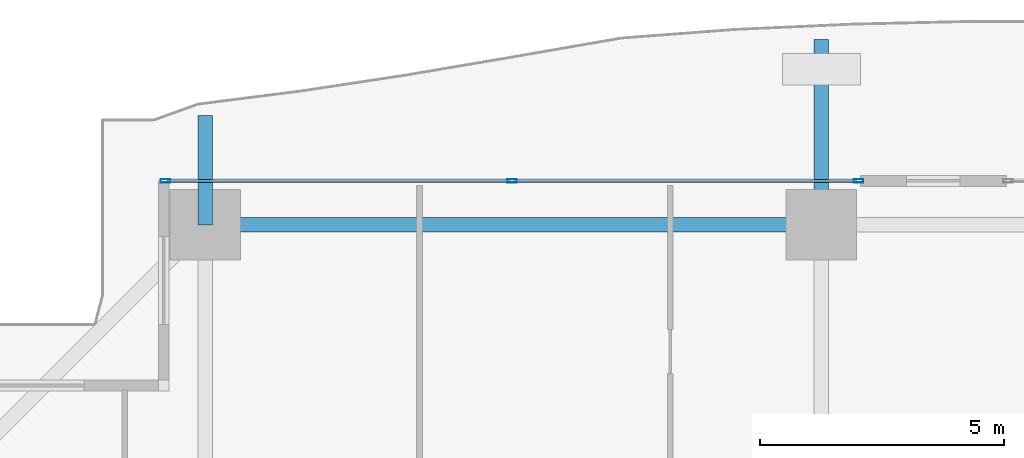
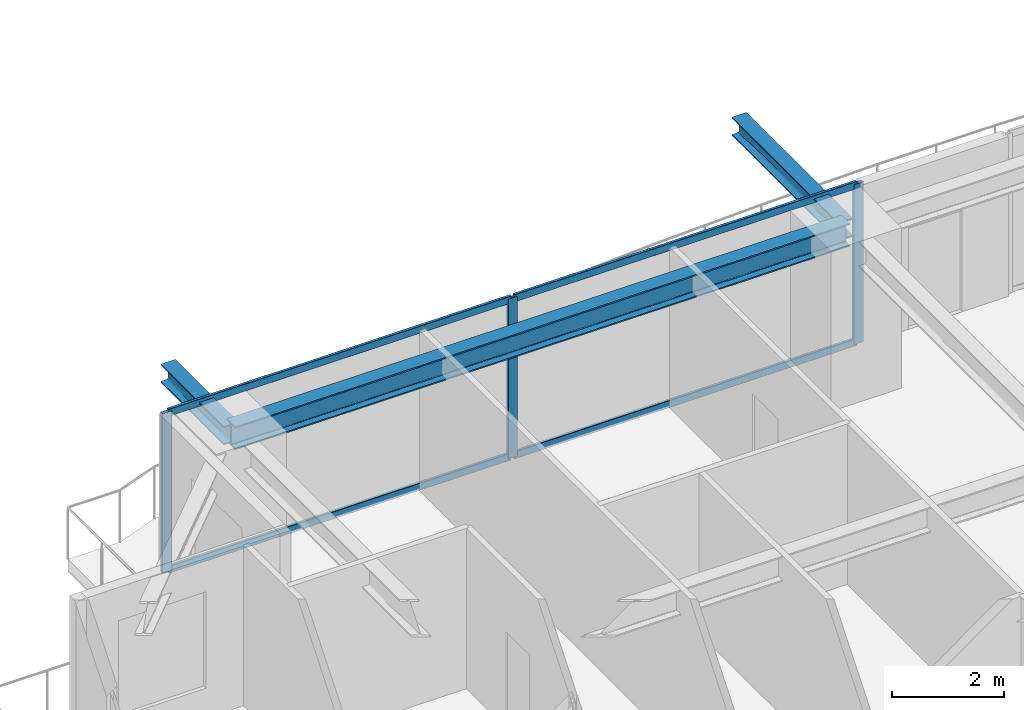
# One storey, part 20 of 39: 7 members, 3 beams, 1 element without a shape of its own.
"""IFC4 building model written with IfcOpenShell, lengths in metres."""

from ifc_helpers import new_model, si_unit, direction, frame, origin, origin_2d, place, context, subcontext, project, spatial, hollow_rectangle, i_section, extrude, source, transform, mapped, material, layer, layer_set, material_profile, profile_set, type_object, element, aggregate, save


model = new_model("IFC4")

# Units and contexts
model_context = context("Model", 3, precision=1e-05, world=origin(), true_north=direction((0.0, 1.0)))
body_context = subcontext(model_context, "Body", "Model", "MODEL_VIEW")
ifc_project = project(units=[si_unit("LENGTHUNIT", "METRE"), si_unit("AREAUNIT", "SQUARE_METRE"), si_unit("VOLUMEUNIT", "CUBIC_METRE"), si_unit("PLANEANGLEUNIT", "RADIAN"), si_unit("MASSUNIT", "GRAM", prefix="KILO")], contexts=[model_context])

# Site, building, storey
site_placement = place(None, origin())
site = spatial("IfcSite", under=ifc_project, at=site_placement, CompositionType="ELEMENT")
building_placement = place(site_placement, origin())
building = spatial("IfcBuilding", under=site, at=building_placement, Name="Serunith Strait Residences", CompositionType="ELEMENT")
storey_placement = place(building_placement, frame((0.0, 0.0, 97.949951171875)))
storey = spatial("IfcBuildingStorey", under=building, at=storey_placement, Name="L24", CompositionType="ELEMENT", Elevation=97.949951171875)

# Beams
ifc_material_1 = material(Name="Steel S355J2", Category="steel")
ifc_material_profile_1 = material_profile(ifc_material_1, i_section(OverallWidth=0.300048828125, OverallDepth=0.5, WebThickness=0.014404296875, FlangeThickness=0.028076171875, FilletRadius=0.027099609375, at=origin_2d()), Name="HEB 500")
ifc_profile_set_1 = profile_set([ifc_material_profile_1], Name="Steel S355J2")
beam_type_1 = type_object("IfcBeamType", Name="BM-HEB500", PredefinedType="BEAM", material=ifc_profile_set_1)
shared_shape_1 = source(origin(), body_context, "Body", "SweptSolid", [
    extrude(i_section(OverallWidth=0.300048828125, OverallDepth=0.5, WebThickness=0.014404296875, FlangeThickness=0.028076171875, FilletRadius=0.027099609375, at=origin_2d()), origin(), (0.0, 0.0, 1.0), 12.64990234375),
])
beam_1_placement = place(storey_placement, frame((27.89990234375, 49.300048828125, 3.237060546875), z_axis=(-1.0, 0.0, 0.0), x_axis=(0.0, -1.0, 0.0)))
element("IfcBeam", 1, at=beam_1_placement, inside=storey, type_object=beam_type_1, Name="L24 Perimeter Ring Beam 11", PredefinedType="BEAM", context=body_context, shape_type="MappedRepresentation", body=[
    mapped(shared_shape_1, transform((0.0, 0.0, 0.0), scale=1.0)),
])
ifc_material_profile_2 = material_profile(ifc_material_1, i_section(OverallWidth=0.300048828125, OverallDepth=0.39990234375, WebThickness=0.013427734375, FlangeThickness=0.02392578125, FilletRadius=0.027099609375, at=origin_2d()), Name="HEB 400")
ifc_profile_set_2 = profile_set([ifc_material_profile_2], Name="Steel S355J2")
beam_type_2 = type_object("IfcBeamType", Name="BM-HEB400", PredefinedType="BEAM", material=ifc_profile_set_2)
shared_shape_2 = source(origin(), body_context, "Body", "SweptSolid", [
    extrude(i_section(OverallWidth=0.300048828125, OverallDepth=0.39990234375, WebThickness=0.013427734375, FlangeThickness=0.02392578125, FilletRadius=0.027099609375, at=origin_2d()), origin(), (0.0, 0.0, 1.0), 3.800048828125),
])
beam_2_placement = place(storey_placement, frame((27.89990234375, 49.300048828125, 3.257080078125), z_axis=(0.0, 1.0, 0.0), x_axis=(-1.0, 0.0, 0.0)))
element("IfcBeam", 2, at=beam_2_placement, inside=storey, type_object=beam_type_2, Name="L25 Cantilevered Balcony Rib TC-N2", PredefinedType="BEAM", context=body_context, shape_type="MappedRepresentation", body=[
    mapped(shared_shape_2, transform((0.0, 0.0, 0.0), scale=1.0)),
])
shared_shape_3 = source(origin(), body_context, "Body", "SweptSolid", [
    extrude(i_section(OverallWidth=0.300048828125, OverallDepth=0.39990234375, WebThickness=0.013427734375, FlangeThickness=0.02392578125, FilletRadius=0.027099609375, at=origin_2d()), origin(), (0.0, 0.0, 1.0), 2.2431640625),
])
beam_3_placement = place(storey_placement, frame((15.25, 49.300048828125, 3.257080078125), z_axis=(0.0, 1.0, 0.0), x_axis=(-1.0, 0.0, 0.0)))
element("IfcBeam", 3, at=beam_3_placement, inside=storey, type_object=beam_type_2, Name="L25 Cantilevered Balcony Rib TC-N1", PredefinedType="BEAM", context=body_context, shape_type="MappedRepresentation", body=[
    mapped(shared_shape_3, transform((0.0, 0.0, 0.0), scale=1.0)),
])

# Curtain wall, members
ifc_material_2 = material(Name="Pale-Champagne Anodised Aluminium", Category="aluminium")
ifc_layer = layer(ifc_material_2, 0.199951171875, Name="Pale-Champagne Anodised Aluminium")
ifc_layer_set = layer_set([ifc_layer], Name="Pale-Champagne Anodised Aluminium")
curtain_wall_type = type_object("IfcCurtainWallType", Name="CW-SYS1", PredefinedType="NOTDEFINED", material=ifc_layer_set)
curtain_wall_placement = place(storey_placement, origin())
curtain_wall = element("IfcCurtainWall", 4, at=curtain_wall_placement, inside=storey, type_object=curtain_wall_type, Name="L24 N Unitised Fritted Curtain Wall", PredefinedType="NOTDEFINED")
ifc_material_profile_3 = material_profile(ifc_material_2, hollow_rectangle(XDim=0.070068359375, YDim=0.199951171875, WallThickness=0.00390625, InnerFilletRadius=0.006103515625, OuterFilletRadius=0.010009765625, at=origin_2d()), Name="ALU 200x70x4")
ifc_profile_set_3 = profile_set([ifc_material_profile_3], Name="Pale-Champagne Anodised Aluminium")
member_type_1 = type_object("IfcMemberType", Name="CW-SYS1-MULL", PredefinedType="MULLION", material=ifc_profile_set_3)
shared_shape_4 = source(origin(), body_context, "Body", "SweptSolid", [
    extrude(hollow_rectangle(XDim=0.070068359375, YDim=0.199951171875, WallThickness=0.00390625, InnerFilletRadius=0.006103515625, OuterFilletRadius=0.010009765625, at=origin_2d()), origin(), (0.0, 0.0, 1.0), 3.47509765625),
])
member_1_placement = place(storey_placement, frame((28.6650390625, 50.199951171875, 0.0), z_axis=(0.0, 0.0, 1.0), x_axis=(0.0, -1.0, 0.0)))
member_1 = element("IfcMember", 5, at=member_1_placement, type_object=member_type_1, Name="CW-1 mullion 1", PredefinedType="MULLION", context=body_context, shape_type="MappedRepresentation", body=[
    mapped(shared_shape_4, transform((0.0, 0.0, 0.0), scale=1.0)),
])
member_2_placement = place(storey_placement, frame((21.550048828125, 50.199951171875, 0.0), z_axis=(0.0, 0.0, 1.0), x_axis=(0.0, -1.0, 0.0)))
member_2 = element("IfcMember", 6, at=member_2_placement, type_object=member_type_1, Name="CW-1 mullion 2", PredefinedType="MULLION", context=body_context, shape_type="MappedRepresentation", body=[
    mapped(shared_shape_4, transform((0.0, 0.0, 0.0), scale=1.0)),
])
member_3_placement = place(storey_placement, frame((14.43505859375, 50.199951171875, 0.0), z_axis=(0.0, 0.0, 1.0), x_axis=(0.0, -1.0, 0.0)))
member_3 = element("IfcMember", 7, at=member_3_placement, type_object=member_type_1, Name="CW-1 mullion 3", PredefinedType="MULLION", context=body_context, shape_type="MappedRepresentation", body=[
    mapped(shared_shape_4, transform((0.0, 0.0, 0.0), scale=1.0)),
])
ifc_material_profile_4 = material_profile(ifc_material_2, hollow_rectangle(XDim=0.06005859375, YDim=0.159912109375, WallThickness=0.00341796875, InnerFilletRadius=0.00537109375, OuterFilletRadius=0.0087890625, at=origin_2d()), Name="ALU 160x60x3.5")
ifc_profile_set_4 = profile_set([ifc_material_profile_4], Name="Pale-Champagne Anodised Aluminium")
member_type_2 = type_object("IfcMemberType", Name="CW-SYS1-TRAN", PredefinedType="USERDEFINED", material=ifc_profile_set_4)
shared_shape_5 = source(origin(), body_context, "Body", "SweptSolid", [
    extrude(hollow_rectangle(XDim=0.06005859375, YDim=0.159912109375, WallThickness=0.00341796875, InnerFilletRadius=0.00537109375, OuterFilletRadius=0.0087890625, at=origin_2d()), origin(), (0.0, 0.0, 1.0), 7.044921875),
])
member_4_placement = place(storey_placement, frame((28.6298828125, 50.199951171875, 0.030029296875), z_axis=(-1.0, 0.0, 0.0), x_axis=(0.0, -1.0, 0.0)))
member_4 = element("IfcMember", 8, at=member_4_placement, type_object=member_type_2, Name="CW-1 transom 1.1", ObjectType="TRANSOM", PredefinedType="USERDEFINED", context=body_context, shape_type="MappedRepresentation", body=[
    mapped(shared_shape_5, transform((0.0, 0.0, 0.0), scale=1.0)),
])
member_5_placement = place(storey_placement, frame((28.6298828125, 50.199951171875, 3.445068359375), z_axis=(-1.0, 0.0, 0.0), x_axis=(0.0, -1.0, 0.0)))
member_5 = element("IfcMember", 9, at=member_5_placement, type_object=member_type_2, Name="CW-1 transom 1.2", ObjectType="TRANSOM", PredefinedType="USERDEFINED", context=body_context, shape_type="MappedRepresentation", body=[
    mapped(shared_shape_5, transform((0.0, 0.0, 0.0), scale=1.0)),
])
member_6_placement = place(storey_placement, frame((21.514892578125, 50.199951171875, 0.030029296875), z_axis=(-1.0, 0.0, 0.0), x_axis=(0.0, -1.0, 0.0)))
member_6 = element("IfcMember", 10, at=member_6_placement, type_object=member_type_2, Name="CW-1 transom 2.1", ObjectType="TRANSOM", PredefinedType="USERDEFINED", context=body_context, shape_type="MappedRepresentation", body=[
    mapped(shared_shape_5, transform((0.0, 0.0, 0.0), scale=1.0)),
])
member_7_placement = place(storey_placement, frame((21.514892578125, 50.199951171875, 3.445068359375), z_axis=(-1.0, 0.0, 0.0), x_axis=(0.0, -1.0, 0.0)))
member_7 = element("IfcMember", 11, at=member_7_placement, type_object=member_type_2, Name="CW-1 transom 2.2", ObjectType="TRANSOM", PredefinedType="USERDEFINED", context=body_context, shape_type="MappedRepresentation", body=[
    mapped(shared_shape_5, transform((0.0, 0.0, 0.0), scale=1.0)),
])
aggregate(curtain_wall, [member_1, member_2, member_3, member_4, member_5, member_6, member_7])

save(model, "model.ifc")
